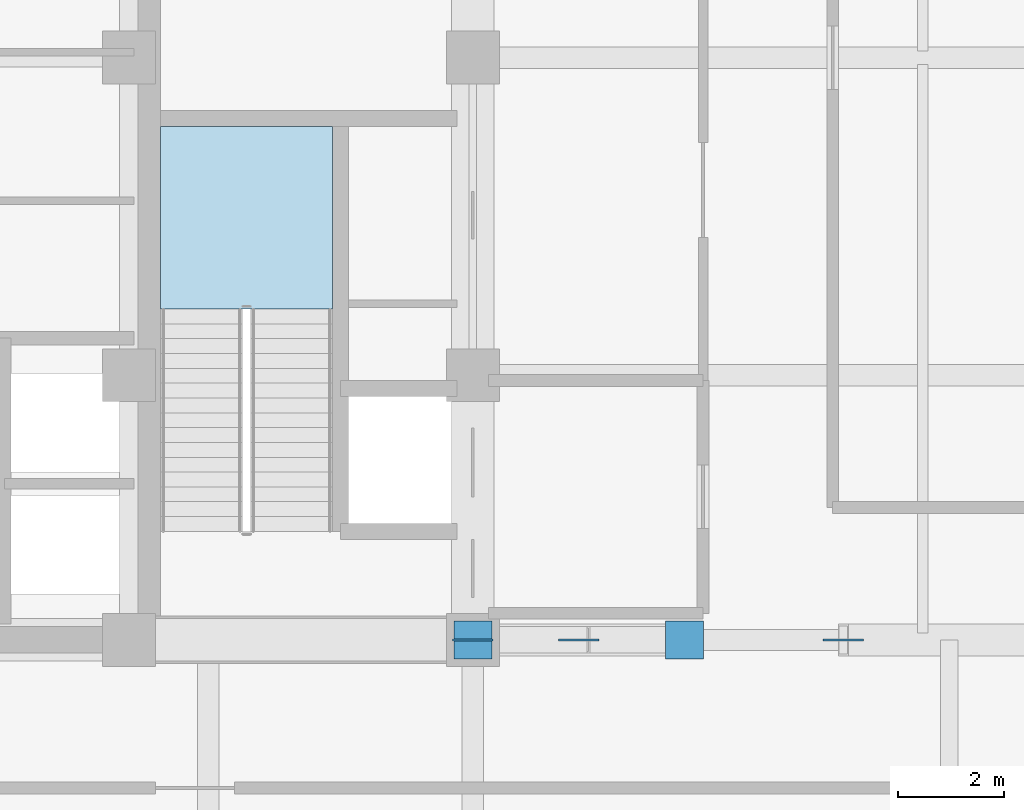
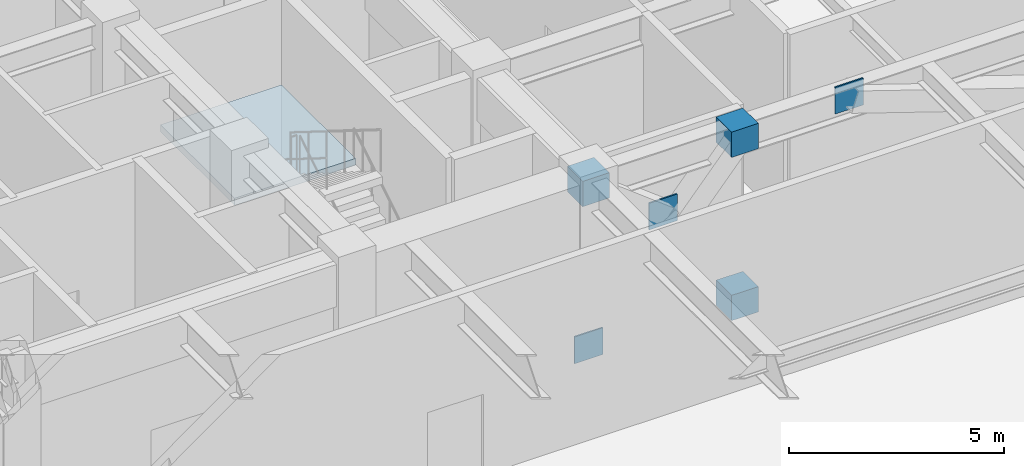
# One storey, part 6 of 21: 6 plates, 1 slab, 1 element without a shape of its own.
"""IFC4 building model written with IfcOpenShell, lengths in metres."""

from ifc_helpers import new_model, si_unit, direction, frame, origin, origin_2d, place, context, subcontext, project, spatial, polyline, rectangle, outline, extrude, source, transform, mapped, material, layer, layer_set, type_object, element, aggregate, save


model = new_model("IFC4")

# Units and contexts
model_context = context("Model", 3, precision=1e-05, world=origin(), true_north=direction((0.0, 1.0)))
body_context = subcontext(model_context, "Body", "Model", "MODEL_VIEW")
ifc_project = project(units=[si_unit("LENGTHUNIT", "METRE"), si_unit("AREAUNIT", "SQUARE_METRE"), si_unit("VOLUMEUNIT", "CUBIC_METRE"), si_unit("PLANEANGLEUNIT", "RADIAN"), si_unit("MASSUNIT", "GRAM", prefix="KILO")], contexts=[model_context])

# Site, building, storey
site_placement = place(None, origin())
site = spatial("IfcSite", under=ifc_project, at=site_placement, CompositionType="ELEMENT")
building_placement = place(site_placement, origin())
building = spatial("IfcBuilding", under=site, at=building_placement, Name="Khorayat Bourse Tower", CompositionType="ELEMENT")
storey_placement = place(building_placement, frame((0.0, 0.0, 27.0)))
storey = spatial("IfcBuildingStorey", under=building, at=storey_placement, Name="L05", CompositionType="ELEMENT", Elevation=27.0)

# Stair, slab
ifc_material_1 = material(Name="Concrete C40/50", Category="concrete")
stair_type = type_object("IfcStairType", Name="STR-CORE-1550", PredefinedType="HALF_TURN_STAIR", material=ifc_material_1)
stair_placement = place(storey_placement, origin())
stair = element("IfcStair", 1, at=stair_placement, inside=storey, type_object=stair_type, Name="L05 Exit Stair ST-3", PredefinedType="HALF_TURN_STAIR")
ifc_layer_1 = layer(ifc_material_1, 0.199951171875)
ifc_layer_set_1 = layer_set([ifc_layer_1], Name="Concrete C40/50")
slab_type = type_object("IfcSlabType", Name="SLB-LANDING-200", PredefinedType="LANDING", material=ifc_layer_set_1)
slab_placement = place(storey_placement, frame((0.0, 0.0, 2.60009765625)))
slab = element("IfcSlab", 2, at=slab_placement, type_object=slab_type, Name="ST-3 landing 1", PredefinedType="LANDING", context=body_context, shape_type="SweptSolid", body=[
    extrude(outline(polyline([(8.35009765625, -4.75), (8.35009765625, -1.300048828125), (5.10009765625, -1.300048828125), (5.10009765625, -4.75), (8.35009765625, -4.75)])), origin(), (0.0, 0.0, 1.0), 0.199951171875),
])
aggregate(stair, [slab])

# Plates
ifc_material_2 = material(Name="Steel EN 10025-4 S460M", Category="steel")
ifc_layer_2 = layer(ifc_material_2, 0.0400390625)
ifc_layer_set_2 = layer_set([ifc_layer_2], Name="Steel EN 10025-4 S460M")
plate_type_1 = type_object("IfcPlateType", Name="PLT-GUSSET-40", PredefinedType="USERDEFINED", material=ifc_layer_set_2)
shared_shape_1 = source(origin(), body_context, "Body", "SweptSolid", [
    extrude(rectangle(XDim=0.760009765625, YDim=0.0400390625, at=origin_2d()), origin(), (0.0, 0.0, 1.0), 0.760009765625),
])
for number, where, z_axis, x_axis, name in (
    (3, (11.0, -11.0, -0.02978515625), (0.0, 0.0, 1.0), (1.0, 0.0, 0.0), "L05 Outrigger Node Gusset Plate 15"),
    (4, (18.0, -11.0, 4.60986328125), (0.0, 0.0, 1.0), (1.0, 0.0, 0.0), "L05 Outrigger Node Gusset Plate 17"),
    (5, (13.0, -11.0, 3.06982421875), (0.0, 0.0, 1.0), (1.0, 0.0, 0.0), "L05 Outrigger X-Crossing Central Gusset Plate 19"),
):
    element("IfcPlate", number, at=place(storey_placement, frame(where, z_axis=z_axis, x_axis=x_axis)), inside=storey, type_object=plate_type_1, Name=name, ObjectType="GUSSET PLATE", PredefinedType="USERDEFINED", context=body_context, shape_type="MappedRepresentation", body=[
        mapped(shared_shape_1, transform((0.0, 0.0, 0.0), scale=1.0)),
    ])
ifc_layer_3 = layer(ifc_material_2, 0.031982421875)
ifc_layer_set_3 = layer_set([ifc_layer_3], Name="Steel EN 10025-4 S460M")
plate_type_2 = type_object("IfcPlateType", Name="PLT-GUSSET-32", PredefinedType="USERDEFINED", material=ifc_layer_set_3)
shared_shape_2 = source(origin(), body_context, "Body", "SweptSolid", [
    extrude(rectangle(XDim=0.719970703125, YDim=0.719970703125, at=origin_2d()), origin(), (0.0, 0.0, 1.0), 0.719970703125),
])
for number, where, z_axis, x_axis, name in (
    (6, (15.0, -11.0, 4.6298828125), (0.0, 0.0, 1.0), (1.0, 0.0, 0.0), "L05 Outrigger Node Gusset Plate 16"),
    (7, (11.0, -11.0, 4.6298828125), (0.0, 0.0, 1.0), (1.0, 0.0, 0.0), "L05 Belt Web Sealed Node Block 20"),
    (8, (15.0, -11.0, -0.009765625), (0.0, 0.0, 1.0), (1.0, 0.0, 0.0), "L05 Belt Web Sealed Node Block 21"),
):
    element("IfcPlate", number, at=place(storey_placement, frame(where, z_axis=z_axis, x_axis=x_axis)), inside=storey, type_object=plate_type_2, Name=name, ObjectType="GUSSET PLATE", PredefinedType="USERDEFINED", context=body_context, shape_type="MappedRepresentation", body=[
        mapped(shared_shape_2, transform((0.0, 0.0, 0.0), scale=1.0)),
    ])

save(model, "model.ifc")
